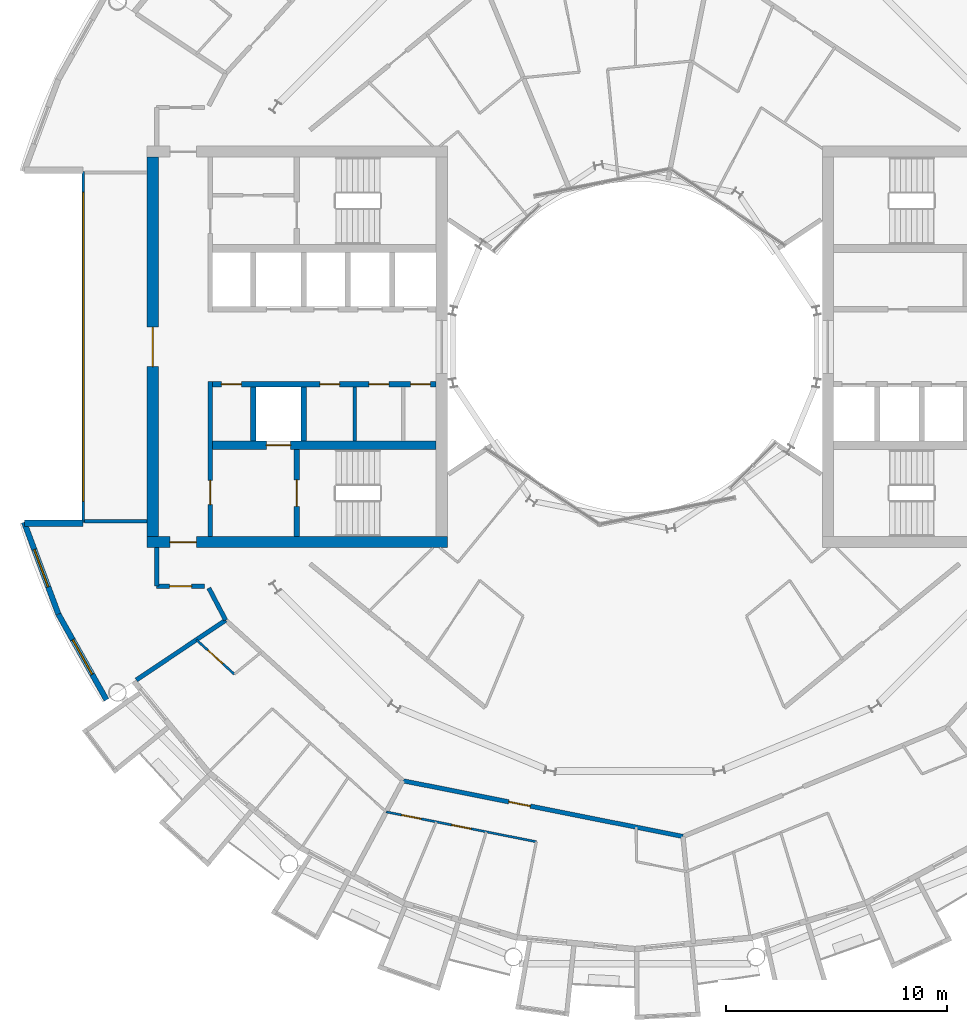
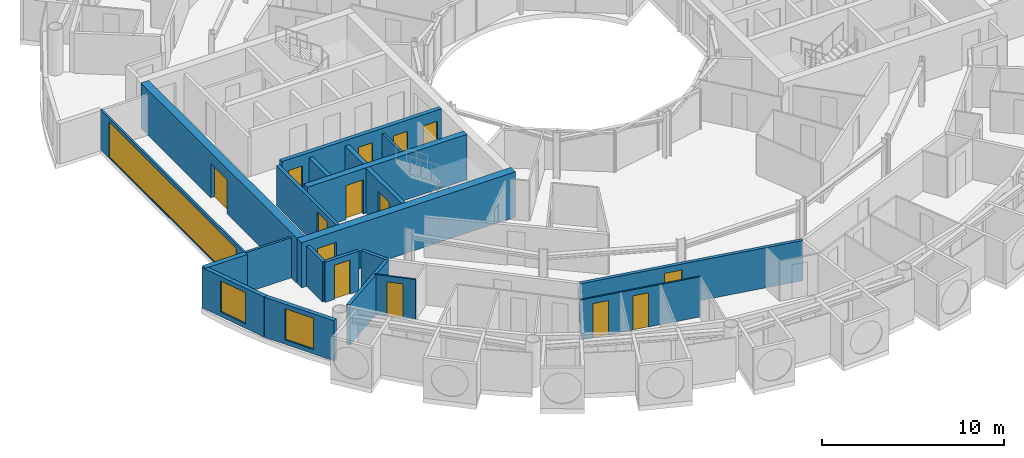
# One storey, part 15 of 27: 21 walls, 14 doors, 3 windows, 17 openings.
"""IFC4 building model written with IfcOpenShell, lengths in metres."""

from ifc_helpers import new_model, si_unit, direction, frame, frame_2d, origin, place, context, subcontext, project, spatial, rectangle, extrude, material, layer, layer_set, type_object, element, fill, save


model = new_model("IFC4")

# Units and contexts
model_context = context("Model", 3, precision=1e-05, world=origin(), true_north=direction((0.0, 1.0)))
body_context = subcontext(model_context, "Body", "Model", "MODEL_VIEW")
ifc_project = project(units=[si_unit("LENGTHUNIT", "METRE"), si_unit("AREAUNIT", "SQUARE_METRE"), si_unit("VOLUMEUNIT", "CUBIC_METRE"), si_unit("PLANEANGLEUNIT", "RADIAN"), si_unit("MASSUNIT", "GRAM", prefix="KILO")], contexts=[model_context])

# Site, building, storey
site_placement = place(None, origin())
site = spatial("IfcSite", under=ifc_project, at=site_placement, CompositionType="ELEMENT")
building_placement = place(site_placement, origin())
building = spatial("IfcBuilding", under=site, at=building_placement, Name="Maasbend Ring Residences", CompositionType="ELEMENT")
storey_placement = place(building_placement, frame((0.0, 0.0, 148.25)))
storey = spatial("IfcBuildingStorey", under=building, at=storey_placement, Name="L42", CompositionType="ELEMENT", Elevation=148.25)

# Wall, openings, doors
ifc_material_1 = material(Name="Concrete C60/75", Category="concrete")
ifc_layer_1 = layer(ifc_material_1, 0.25)
ifc_layer_set_1 = layer_set([ifc_layer_1], Name="Concrete C60/75")
wall_type_1 = type_object("IfcWallType", Name="CORE WALL 250 C60/75", PredefinedType="SHEAR", material=ifc_layer_set_1)
wall_1_placement = place(storey_placement, frame((-9.0, -1.699951171875, 0.0), z_axis=(0.0, 0.0, 1.0), x_axis=(-1.0, 0.0, 0.0)))
wall_1 = element("IfcWall", 1, at=wall_1_placement, inside=storey, type_object=wall_type_1, Name="L42 core W wall SPN", PredefinedType="SHEAR", context=body_context, shape_type="SweptSolid", body=[
    extrude(rectangle(XDim=10.14990234375, YDim=0.25, at=frame_2d((5.074951171875, 0.0))), origin(), (0.0, 0.0, 1.0), 3.050048828125),
])
opening_1_placement = place(wall_1_placement, frame((0.262451171875, 0.0, 0.0)))
opening_1 = element("IfcOpeningElement", 2, at=opening_1_placement, cuts=wall_1, Name="Opening D-W4206", PredefinedType="OPENING", context=body_context, shape_type="SweptSolid", body=[
    extrude(rectangle(XDim=0.89990234375, YDim=2.300048828125, at=frame_2d((0.449951171875, 1.14990234375))), frame((0.0, 0.135009765625, 0.0), z_axis=(0.0, -1.0, 0.0), x_axis=(1.0, 0.0, 0.0)), (0.0, 0.0, 1.0), 0.27001953125),
])
opening_2_placement = place(wall_1_placement, frame((2.14990234375, 0.0, 0.0)))
opening_2 = element("IfcOpeningElement", 3, at=opening_2_placement, cuts=wall_1, Name="Opening D-W4207", PredefinedType="OPENING", context=body_context, shape_type="SweptSolid", body=[
    extrude(rectangle(XDim=0.89990234375, YDim=2.300048828125, at=frame_2d((0.449951171875, 1.14990234375))), frame((0.0, 0.135009765625, 0.0), z_axis=(0.0, -1.0, 0.0), x_axis=(1.0, 0.0, 0.0)), (0.0, 0.0, 1.0), 0.27001953125),
])
opening_3_placement = place(wall_1_placement, frame((4.375, 0.0, 0.0)))
opening_3 = element("IfcOpeningElement", 4, at=opening_3_placement, cuts=wall_1, Name="Opening D-W4208", PredefinedType="OPENING", context=body_context, shape_type="SweptSolid", body=[
    extrude(rectangle(XDim=0.89990234375, YDim=2.300048828125, at=frame_2d((0.449951171875, 1.14990234375))), frame((0.0, 0.135009765625, 0.0), z_axis=(0.0, -1.0, 0.0), x_axis=(1.0, 0.0, 0.0)), (0.0, 0.0, 1.0), 0.27001953125),
])
opening_4_placement = place(wall_1_placement, frame((8.83740234375, 0.0, 0.0)))
opening_4 = element("IfcOpeningElement", 5, at=opening_4_placement, cuts=wall_1, Name="Opening D-W4209", PredefinedType="OPENING", context=body_context, shape_type="SweptSolid", body=[
    extrude(rectangle(XDim=0.89990234375, YDim=2.300048828125, at=frame_2d((0.449951171875, 1.14990234375))), frame((0.0, 0.135009765625, 0.0), z_axis=(0.0, -1.0, 0.0), x_axis=(1.0, 0.0, 0.0)), (0.0, 0.0, 1.0), 0.27001953125),
])
ifc_material_2 = material(Name="Steel, powder coated", Category="steel")
door_type_1 = type_object("IfcDoorType", Name="ROOM DOOR 900 X 2300 FD30S", OperationType="NOTDEFINED", PredefinedType="DOOR", material=ifc_material_2)
door_1_placement = place(opening_1_placement, origin())
door_1 = element("IfcDoor", 6, at=door_1_placement, inside=storey, type_object=door_type_1, Name="Room door L42", OperationType="SINGLE_SWING_RIGHT", OverallHeight=2.300048828125, OverallWidth=0.89990234375, PredefinedType="DOOR", context=body_context, shape_type="SweptSolid", body=[
    extrude(rectangle(XDim=0.89990234375, YDim=2.300048828125, at=frame_2d((0.449951171875, 1.14990234375))), frame((0.0, 0.02490234375, 0.0), z_axis=(0.0, -1.0, 0.0), x_axis=(1.0, 0.0, 0.0)), (0.0, 0.0, 1.0), 0.050048828125),
])
fill(opening_1, door_1)
door_2_placement = place(opening_2_placement, origin())
door_2 = element("IfcDoor", 7, at=door_2_placement, inside=storey, type_object=door_type_1, Name="Room door L42", OperationType="SINGLE_SWING_RIGHT", OverallHeight=2.300048828125, OverallWidth=0.89990234375, PredefinedType="DOOR", context=body_context, shape_type="SweptSolid", body=[
    extrude(rectangle(XDim=0.89990234375, YDim=2.300048828125, at=frame_2d((0.449951171875, 1.14990234375))), frame((0.0, 0.02490234375, 0.0), z_axis=(0.0, -1.0, 0.0), x_axis=(1.0, 0.0, 0.0)), (0.0, 0.0, 1.0), 0.050048828125),
])
fill(opening_2, door_2)
door_3_placement = place(opening_3_placement, origin())
door_3 = element("IfcDoor", 8, at=door_3_placement, inside=storey, type_object=door_type_1, Name="Room door L42", OperationType="SINGLE_SWING_RIGHT", OverallHeight=2.300048828125, OverallWidth=0.89990234375, PredefinedType="DOOR", context=body_context, shape_type="SweptSolid", body=[
    extrude(rectangle(XDim=0.89990234375, YDim=2.300048828125, at=frame_2d((0.449951171875, 1.14990234375))), frame((0.0, 0.02490234375, 0.0), z_axis=(0.0, -1.0, 0.0), x_axis=(1.0, 0.0, 0.0)), (0.0, 0.0, 1.0), 0.050048828125),
])
fill(opening_3, door_3)
door_4_placement = place(opening_4_placement, origin())
door_4 = element("IfcDoor", 9, at=door_4_placement, inside=storey, type_object=door_type_1, Name="Room door L42", OperationType="SINGLE_SWING_LEFT", OverallHeight=2.300048828125, OverallWidth=0.89990234375, PredefinedType="DOOR", context=body_context, shape_type="SweptSolid", body=[
    extrude(rectangle(XDim=0.89990234375, YDim=2.300048828125, at=frame_2d((0.449951171875, 1.14990234375))), frame((0.0, 0.02490234375, 0.0), z_axis=(0.0, -1.0, 0.0), x_axis=(1.0, 0.0, 0.0)), (0.0, 0.0, 1.0), 0.050048828125),
])
fill(opening_4, door_4)

# Wall, opening, door
wall_2_placement = place(storey_placement, frame((-15.324951171875, -4.64990234375, 0.0), z_axis=(0.0, 0.0, 1.0), x_axis=(0.0, -1.0, 0.0)))
wall_2 = element("IfcWall", 10, at=wall_2_placement, inside=storey, type_object=wall_type_1, Name="L42 core W wall STEN", PredefinedType="SHEAR", context=body_context, shape_type="SweptSolid", body=[
    extrude(rectangle(XDim=3.9501953125, YDim=0.25, at=frame_2d((1.97509765625, 0.0))), origin(), (0.0, 0.0, 1.0), 3.050048828125),
])
opening_5_placement = place(wall_2_placement, frame((1.375, 0.0, 0.0)))
opening_5 = element("IfcOpeningElement", 11, at=opening_5_placement, cuts=wall_2, Name="Opening D-W4211", PredefinedType="OPENING", context=body_context, shape_type="SweptSolid", body=[
    extrude(rectangle(XDim=1.199951171875, YDim=2.300048828125, at=frame_2d((0.60009765625, 1.14990234375))), frame((0.0, 0.135009765625, 0.0), z_axis=(0.0, -1.0, 0.0), x_axis=(1.0, 0.0, 0.0)), (0.0, 0.0, 1.0), 0.27001953125),
])
ifc_material_3 = material(Name="Steel, powder coated", Category="steel")
door_type_2 = type_object("IfcDoorType", Name="STAIR DOOR 1200 X 2300 FD60", OperationType="NOTDEFINED", PredefinedType="DOOR", material=ifc_material_3)
door_5_placement = place(opening_5_placement, origin())
door_5 = element("IfcDoor", 12, at=door_5_placement, inside=storey, type_object=door_type_2, Name="Stair door ST-W L42", OperationType="SINGLE_SWING_LEFT", OverallHeight=2.300048828125, OverallWidth=1.199951171875, PredefinedType="DOOR", context=body_context, shape_type="SweptSolid", body=[
    extrude(rectangle(XDim=1.199951171875, YDim=2.300048828125, at=frame_2d((0.60009765625, 1.14990234375))), frame((0.0, 0.02490234375, 0.0), z_axis=(0.0, -1.0, 0.0), x_axis=(1.0, 0.0, 0.0)), (0.0, 0.0, 1.0), 0.050048828125),
])
fill(opening_5, door_5)

ifc_material_4 = material(Name="Concrete C60/75", Category="concrete")
ifc_layer_2 = layer(ifc_material_4, 0.375)
ifc_layer_set_2 = layer_set([ifc_layer_2], Name="Concrete C60/75")
wall_type_2 = type_object("IfcWallType", Name="CORE WALL 375 C60/75", PredefinedType="SHEAR", material=ifc_layer_set_2)
wall_3_placement = place(storey_placement, frame((-9.0, -4.46240234375, 0.0), z_axis=(0.0, 0.0, 1.0), x_axis=(-1.0, 0.0, 0.0)))
wall_3 = element("IfcWall", 13, at=wall_3_placement, inside=storey, type_object=wall_type_2, Name="L42 core W wall BN", PredefinedType="SHEAR", context=body_context, shape_type="SweptSolid", body=[
    extrude(rectangle(XDim=10.14990234375, YDim=0.375, at=frame_2d((5.074951171875, 0.0))), origin(), (0.0, 0.0, 1.0), 3.050048828125),
])
opening_6_placement = place(wall_3_placement, frame((6.60009765625, 0.0, 0.0)))
opening_6 = element("IfcOpeningElement", 14, at=opening_6_placement, cuts=wall_3, Name="Opening LD-W4201", PredefinedType="OPENING", context=body_context, shape_type="SweptSolid", body=[
    extrude(rectangle(XDim=1.10009765625, YDim=2.300048828125, at=frame_2d((0.550048828125, 1.14990234375))), frame((0.0, 0.197509765625, 0.0), z_axis=(0.0, -1.0, 0.0), x_axis=(1.0, 0.0, 0.0)), (0.0, 0.0, 1.0), 0.39501953125),
])
ifc_material_5 = material(Name="Stainless steel 316", Category="steel")
door_type_3 = type_object("IfcDoorType", Name="LANDING DOOR 1100 X 2300 FD60", OperationType="DOUBLE_DOOR_SLIDING", PredefinedType="DOOR", material=ifc_material_5)
door_6_placement = place(opening_6_placement, origin())
door_6 = element("IfcDoor", 15, at=door_6_placement, inside=storey, type_object=door_type_3, Name="Landing door FF-W L42", OperationType="DOUBLE_DOOR_SLIDING", OverallHeight=2.300048828125, OverallWidth=1.10009765625, PredefinedType="DOOR", context=body_context, shape_type="SweptSolid", body=[
    extrude(rectangle(XDim=1.10009765625, YDim=2.300048828125, at=frame_2d((0.550048828125, 1.14990234375))), frame((0.0, 0.02490234375, 0.0), z_axis=(0.0, -1.0, 0.0), x_axis=(1.0, 0.0, 0.0)), (0.0, 0.0, 1.0), 0.050048828125),
])
fill(opening_6, door_6)

ifc_material_6 = material(Name="Concrete C60/75", Category="concrete")
ifc_layer_3 = layer(ifc_material_6, 0.5)
ifc_layer_set_3 = layer_set([ifc_layer_3], Name="Concrete C60/75")
wall_type_3 = type_object("IfcWallType", Name="CORE WALL 500 C60/75", PredefinedType="SHEAR", material=ifc_layer_set_3)
wall_4_placement = place(storey_placement, frame((-22.10009765625, -8.85009765625, 0.0), z_axis=(0.0, 0.0, 1.0), x_axis=(1.0, 0.0, 0.0)))
wall_4 = element("IfcWall", 16, at=wall_4_placement, inside=storey, type_object=wall_type_3, Name="L42 core W wall PN", PredefinedType="SHEAR", context=body_context, shape_type="SweptSolid", body=[
    extrude(rectangle(XDim=13.60009765625, YDim=0.5, at=frame_2d((6.800048828125, 0.0))), origin(), (0.0, 0.0, 1.0), 3.050048828125),
])
opening_7_placement = place(wall_4_placement, frame((1.02490234375, 0.0, 0.0)))
opening_7 = element("IfcOpeningElement", 17, at=opening_7_placement, cuts=wall_4, Name="Opening D-W4215", PredefinedType="OPENING", context=body_context, shape_type="SweptSolid", body=[
    extrude(rectangle(XDim=1.199951171875, YDim=2.300048828125, at=frame_2d((0.60009765625, 1.14990234375))), frame((0.0, 0.260009765625, 0.0), z_axis=(0.0, -1.0, 0.0), x_axis=(1.0, 0.0, 0.0)), (0.0, 0.0, 1.0), 0.52001953125),
])
ifc_material_7 = material(Name="Steel, powder coated", Category="steel")
door_type_4 = type_object("IfcDoorType", Name="CORRIDOR DOOR 1200 X 2300 FD30S", OperationType="NOTDEFINED", PredefinedType="DOOR", material=ifc_material_7)
door_7_placement = place(opening_7_placement, origin())
door_7 = element("IfcDoor", 18, at=door_7_placement, inside=storey, type_object=door_type_4, Name="Corridor door L42", OperationType="SINGLE_SWING_RIGHT", OverallHeight=2.300048828125, OverallWidth=1.199951171875, PredefinedType="DOOR", context=body_context, shape_type="SweptSolid", body=[
    extrude(rectangle(XDim=1.199951171875, YDim=2.300048828125, at=frame_2d((0.60009765625, 1.14990234375))), frame((0.0, 0.02490234375, 0.0), z_axis=(0.0, -1.0, 0.0), x_axis=(1.0, 0.0, 0.0)), (0.0, 0.0, 1.0), 0.050048828125),
])
fill(opening_7, door_7)

wall_5_placement = place(storey_placement, frame((-21.85009765625, -8.60009765625, 0.0), z_axis=(0.0, 0.0, 1.0), x_axis=(0.0, 1.0, 0.0)))
wall_5 = element("IfcWall", 19, at=wall_5_placement, inside=storey, type_object=wall_type_3, Name="L42 core W wall POUT", PredefinedType="SHEAR", context=body_context, shape_type="SweptSolid", body=[
    extrude(rectangle(XDim=17.2001953125, YDim=0.5, at=frame_2d((8.60009765625, 0.0))), origin(), (0.0, 0.0, 1.0), 3.050048828125),
])
opening_8_placement = place(wall_5_placement, frame((7.699951171875, 0.0, 0.0)))
opening_8 = element("IfcOpeningElement", 20, at=opening_8_placement, cuts=wall_5, Name="Opening D-W4217", PredefinedType="OPENING", context=body_context, shape_type="SweptSolid", body=[
    extrude(rectangle(XDim=1.800048828125, YDim=2.300048828125, at=frame_2d((0.89990234375, 1.14990234375))), frame((0.0, 0.260009765625, 0.0), z_axis=(0.0, -1.0, 0.0), x_axis=(1.0, 0.0, 0.0)), (0.0, 0.0, 1.0), 0.52001953125),
])
ifc_material_8 = material(Name="Aluminium frame, clear glass", Category="aluminium")
door_type_5 = type_object("IfcDoorType", Name="ENTRANCE DOOR 1800 X 2300 FD60", OperationType="NOTDEFINED", PredefinedType="DOOR", material=ifc_material_8)
door_8_placement = place(opening_8_placement, origin())
door_8 = element("IfcDoor", 21, at=door_8_placement, inside=storey, type_object=door_type_5, Name="Lobby glazed door L42", OperationType="SINGLE_SWING_LEFT", OverallHeight=2.300048828125, OverallWidth=1.800048828125, PredefinedType="DOOR", context=body_context, shape_type="SweptSolid", body=[
    extrude(rectangle(XDim=1.800048828125, YDim=2.300048828125, at=frame_2d((0.89990234375, 1.14990234375))), frame((0.0, 0.02490234375, 0.0), z_axis=(0.0, -1.0, 0.0), x_axis=(1.0, 0.0, 0.0)), (0.0, 0.0, 1.0), 0.050048828125),
])
fill(opening_8, door_8)

# Wall
ifc_material_9 = material(Name="Concrete C30/37", Category="concrete")
ifc_layer_4 = layer(ifc_material_9, 0.199951171875)
ifc_layer_set_4 = layer_set([ifc_layer_4], Name="Concrete C30/37")
wall_type_4 = type_object("IfcWallType", Name="CORRIDOR WALL 200 CONCRETE", PredefinedType="PARTITIONING", material=ifc_layer_set_4)
wall_6_placement = place(storey_placement, frame((-19.306884765625, -10.93505859375, 0.0), z_axis=(0.0, 0.0, 1.0), x_axis=(0.465605550524, -0.884992356646, 0.0)))
element("IfcWall", 22, at=wall_6_placement, inside=storey, type_object=wall_type_4, Name="U-L42-w009", PredefinedType="PARTITIONING", context=body_context, shape_type="SweptSolid", body=[
    extrude(rectangle(XDim=1.642822265625, YDim=0.199951171875, at=frame_2d((0.8212890625, 0.0))), origin(), (0.0, 0.0, 1.0), 2.699951171875),
])

# Wall, opening, door
wall_7_placement = place(storey_placement, frame((-10.511962890625, -19.6669921875, 0.0), z_axis=(0.0, 0.0, 1.0), x_axis=(0.980780341017, -0.195115152343, 0.0)))
wall_7 = element("IfcWall", 23, at=wall_7_placement, inside=storey, type_object=wall_type_4, Name="U-L42-w015", PredefinedType="PARTITIONING", context=body_context, shape_type="SweptSolid", body=[
    extrude(rectangle(XDim=12.94677734375, YDim=0.199951171875, at=frame_2d((6.473388671875, 0.0))), origin(), (0.0, 0.0, 1.0), 2.699951171875),
])
opening_9_placement = place(wall_7_placement, frame((4.89404296875, 0.0, 0.0)))
opening_9 = element("IfcOpeningElement", 24, at=opening_9_placement, cuts=wall_7, Name="Opening D-4238", PredefinedType="OPENING", context=body_context, shape_type="SweptSolid", body=[
    extrude(rectangle(XDim=1.0, YDim=2.300048828125, at=frame_2d((0.5, 1.14990234375))), frame((0.0, 0.10986328125, 0.0), z_axis=(0.0, -1.0, 0.0), x_axis=(1.0, 0.0, 0.0)), (0.0, 0.0, 1.0), 0.219970703125),
])
ifc_material_10 = material(Name="Timber, fire-rated, painted", Category="wood")
door_type_6 = type_object("IfcDoorType", Name="FLAT ENTRANCE DOOR 1000 X 2300 FIRE-RATED", OperationType="NOTDEFINED", PredefinedType="DOOR", material=ifc_material_10)
door_9_placement = place(opening_9_placement, origin())
door_9 = element("IfcDoor", 25, at=door_9_placement, inside=storey, type_object=door_type_6, Name="D-4238", OperationType="SINGLE_SWING_LEFT", OverallHeight=2.300048828125, OverallWidth=1.0, PredefinedType="DOOR", context=body_context, shape_type="SweptSolid", body=[
    extrude(rectangle(XDim=1.0, YDim=2.300048828125, at=frame_2d((0.5, 1.14990234375))), frame((0.0, 0.02490234375, 0.0), z_axis=(0.0, -1.0, 0.0), x_axis=(1.0, 0.0, 0.0)), (0.0, 0.0, 1.0), 0.050048828125),
])
fill(opening_9, door_9)

wall_8_placement = place(storey_placement, frame((-21.675048828125, -10.85009765625, 0.0), z_axis=(0.0, 0.0, 1.0), x_axis=(1.0, 0.0, 0.0)))
wall_8 = element("IfcWall", 26, at=wall_8_placement, inside=storey, type_object=wall_type_4, Name="U-L42-w023", PredefinedType="PARTITIONING", context=body_context, shape_type="SweptSolid", body=[
    extrude(rectangle(XDim=2.171142578125, YDim=0.199951171875, at=frame_2d((1.08544921875, 0.0))), origin(), (0.0, 0.0, 1.0), 2.699951171875),
])
opening_10_placement = place(wall_8_placement, frame((0.5849609375, 0.0, 0.0)))
opening_10 = element("IfcOpeningElement", 27, at=opening_10_placement, cuts=wall_8, Name="Opening D-4259", PredefinedType="OPENING", context=body_context, shape_type="SweptSolid", body=[
    extrude(rectangle(XDim=1.0, YDim=2.300048828125, at=frame_2d((0.5, 1.14990234375))), frame((0.0, 0.10986328125, 0.0), z_axis=(0.0, -1.0, 0.0), x_axis=(1.0, 0.0, 0.0)), (0.0, 0.0, 1.0), 0.219970703125),
])
ifc_material_11 = material(Name="Timber, painted", Category="wood")
door_type_7 = type_object("IfcDoorType", Name="ROOM DOOR 1000 X 2300", OperationType="NOTDEFINED", PredefinedType="DOOR", material=ifc_material_11)
door_10_placement = place(opening_10_placement, origin())
door_10 = element("IfcDoor", 28, at=door_10_placement, inside=storey, type_object=door_type_7, Name="D-4259", OperationType="SINGLE_SWING_LEFT", OverallHeight=2.300048828125, OverallWidth=1.0, PredefinedType="DOOR", context=body_context, shape_type="SweptSolid", body=[
    extrude(rectangle(XDim=1.0, YDim=2.300048828125, at=frame_2d((0.5, 1.14990234375))), frame((0.0, 0.02490234375, 0.0), z_axis=(0.0, -1.0, 0.0), x_axis=(1.0, 0.0, 0.0)), (0.0, 0.0, 1.0), 0.050048828125),
])
fill(opening_10, door_10)

# Wall
wall_9_placement = place(storey_placement, frame((-21.675048828125, -10.85009765625, 0.0), z_axis=(0.0, 0.0, 1.0), x_axis=(0.0, 1.0, 0.0)))
element("IfcWall", 29, at=wall_9_placement, inside=storey, type_object=wall_type_4, Name="U-L42-w098", PredefinedType="PARTITIONING", context=body_context, shape_type="SweptSolid", body=[
    extrude(rectangle(XDim=1.75, YDim=0.199951171875, at=frame_2d((0.875, 0.0))), origin(), (0.0, 0.0, 1.0), 2.699951171875),
])

# Wall, opening, window
ifc_material_12 = material(Name="Aluminium clad insulated panel", Category="aluminium")
ifc_layer_5 = layer(ifc_material_12, 0.25)
ifc_layer_set_5 = layer_set([ifc_layer_5], Name="EW-HORN")
wall_type_5 = type_object("IfcWallType", Name="EW-HORN", PredefinedType="SOLIDWALL", material=ifc_layer_set_5)
wall_10_placement = place(storey_placement, frame((-27.681884765625, -7.945068359375, 0.0), z_axis=(0.0, 0.0, 1.0), x_axis=(0.349247811493, -0.937030397675, 0.0)))
wall_10 = element("IfcWall", 30, at=wall_10_placement, inside=storey, type_object=wall_type_5, Name="Horn wall 3.1", PredefinedType="SOLIDWALL", context=body_context, shape_type="SweptSolid", body=[
    extrude(rectangle(XDim=4.4521484375, YDim=0.25, at=frame_2d((2.22607421875, 0.0))), origin(), (0.0, 0.0, 1.0), 2.699951171875),
])
opening_11_placement = place(wall_10_placement, frame((1.32666015625, 0.0, 0.300048828125)))
opening_11 = element("IfcOpeningElement", 31, at=opening_11_placement, cuts=wall_10, Name="Opening W-BX", PredefinedType="OPENING", context=body_context, shape_type="SweptSolid", body=[
    extrude(rectangle(XDim=1.800048828125, YDim=2.10009765625, at=frame_2d((0.89990234375, 1.050048828125))), frame((0.0, 0.135009765625, 0.0), z_axis=(0.0, -1.0, 0.0), x_axis=(1.0, 0.0, 0.0)), (0.0, 0.0, 1.0), 0.27001953125),
])
ifc_material_13 = material(Name="Aluminium and clear glass", Category="aluminium")
window_type_1 = type_object("IfcWindowType", Name="W-BX", PartitioningType="DOUBLE_PANEL_VERTICAL", PredefinedType="WINDOW", material=ifc_material_13)
window_1_placement = place(opening_11_placement, origin())
window_1 = element("IfcWindow", 32, at=window_1_placement, inside=storey, type_object=window_type_1, Name="Horn window 3.1", OverallHeight=2.10009765625, OverallWidth=1.800048828125, PartitioningType="SINGLE_PANEL", PredefinedType="WINDOW", context=body_context, shape_type="SweptSolid", body=[
    extrude(rectangle(XDim=1.800048828125, YDim=2.10009765625, at=frame_2d((0.89990234375, 1.050048828125))), frame((0.0, 0.030029296875, 0.0), z_axis=(0.0, -1.0, 0.0), x_axis=(1.0, 0.0, 0.0)), (0.0, 0.0, 1.0), 0.06005859375),
])
fill(opening_11, window_1)

wall_11_placement = place(storey_placement, frame((-26.126953125, -12.116943359375, 0.0), z_axis=(0.0, 0.0, 1.0), x_axis=(0.489696356642, -0.871893042919, 0.0)))
wall_11 = element("IfcWall", 33, at=wall_11_placement, inside=storey, type_object=wall_type_5, Name="Horn wall 3.2", PredefinedType="SOLIDWALL", context=body_context, shape_type="SweptSolid", body=[
    extrude(rectangle(XDim=4.45361328125, YDim=0.25, at=frame_2d((2.226806640625, 0.0))), origin(), (0.0, 0.0, 1.0), 2.699951171875),
])
opening_12_placement = place(wall_11_placement, frame((1.32666015625, 0.0, 0.300048828125)))
opening_12 = element("IfcOpeningElement", 34, at=opening_12_placement, cuts=wall_11, Name="Opening W-BX", PredefinedType="OPENING", context=body_context, shape_type="SweptSolid", body=[
    extrude(rectangle(XDim=1.800048828125, YDim=2.10009765625, at=frame_2d((0.89990234375, 1.050048828125))), frame((0.0, 0.135009765625, 0.0), z_axis=(0.0, -1.0, 0.0), x_axis=(1.0, 0.0, 0.0)), (0.0, 0.0, 1.0), 0.27001953125),
])
window_2_placement = place(opening_12_placement, origin())
window_2 = element("IfcWindow", 35, at=window_2_placement, inside=storey, type_object=window_type_1, Name="Horn window 3.2", OverallHeight=2.10009765625, OverallWidth=1.800048828125, PartitioningType="SINGLE_PANEL", PredefinedType="WINDOW", context=body_context, shape_type="SweptSolid", body=[
    extrude(rectangle(XDim=1.800048828125, YDim=2.10009765625, at=frame_2d((0.89990234375, 1.050048828125))), frame((0.0, 0.030029296875, 0.0), z_axis=(0.0, -1.0, 0.0), x_axis=(1.0, 0.0, 0.0)), (0.0, 0.0, 1.0), 0.06005859375),
])
fill(opening_12, window_2)

# Wall
ifc_material_14 = material(Name="Aluminium clad insulated panel", Category="aluminium")
ifc_layer_6 = layer(ifc_material_14, 0.300048828125)
ifc_layer_set_6 = layer_set([ifc_layer_6], Name="EW-RET")
wall_type_6 = type_object("IfcWallType", Name="EW-RET", PredefinedType="SOLIDWALL", material=ifc_layer_set_6)
wall_12_placement = place(storey_placement, frame((-25.0, -8.0, 0.0), z_axis=(0.0, 0.0, 1.0), x_axis=(-1.0, 0.0, 0.0)))
element("IfcWall", 36, at=wall_12_placement, inside=storey, type_object=wall_type_6, Name="Notch return wall west south", PredefinedType="SOLIDWALL", context=body_context, shape_type="SweptSolid", body=[
    extrude(rectangle(XDim=2.6669921875, YDim=0.300048828125, at=frame_2d((1.33349609375, 0.0))), origin(), (0.0, 0.0, 1.0), 2.699951171875),
])

# Wall, opening, window
ifc_material_15 = material(Name="Aluminium frame and clear glass", Category="aluminium")
ifc_layer_7 = layer(ifc_material_15, 0.1201171875)
ifc_layer_set_7 = layer_set([ifc_layer_7], Name="GLAZED SCREEN WALL 120 EI 60")
wall_type_7 = type_object("IfcWallType", Name="GLAZED SCREEN WALL 120 EI 60", PredefinedType="PARTITIONING", material=ifc_layer_set_7)
wall_13_placement = place(storey_placement, frame((-25.0, 7.949951171875, 0.0), z_axis=(0.0, 0.0, 1.0), x_axis=(0.0, -1.0, 0.0)))
wall_13 = element("IfcWall", 37, at=wall_13_placement, inside=storey, type_object=wall_type_7, Name="L42 core W wall FACE", PredefinedType="PARTITIONING", context=body_context, shape_type="SweptSolid", body=[
    extrude(rectangle(XDim=15.89990234375, YDim=0.1201171875, at=frame_2d((7.949951171875, 0.0))), origin(), (0.0, 0.0, 1.0), 2.699951171875),
])
opening_13_placement = place(wall_13_placement, frame((0.949951171875, 0.0, 0.10009765625)))
opening_13 = element("IfcOpeningElement", 38, at=opening_13_placement, cuts=wall_13, Name="Opening W-W4202", PredefinedType="OPENING", context=body_context, shape_type="SweptSolid", body=[
    extrude(rectangle(XDim=14.0, YDim=2.35009765625, at=frame_2d((7.0, 1.175048828125))), frame((0.0, 0.070068359375, 0.0), z_axis=(0.0, -1.0, 0.0), x_axis=(1.0, 0.0, 0.0)), (0.0, 0.0, 1.0), 0.14013671875),
])
ifc_material_16 = material(Name="Aluminium frame and clear glass", Category="aluminium")
window_type_2 = type_object("IfcWindowType", Name="FIXED WINDOW 14000 X 2350", PartitioningType="SINGLE_PANEL", PredefinedType="WINDOW", material=ifc_material_16)
window_3_placement = place(opening_13_placement, origin())
window_3 = element("IfcWindow", 39, at=window_3_placement, inside=storey, type_object=window_type_2, Name="Lobby window L42", OverallHeight=2.35009765625, OverallWidth=14.0, PartitioningType="SINGLE_PANEL", PredefinedType="WINDOW", context=body_context, shape_type="SweptSolid", body=[
    extrude(rectangle(XDim=14.0, YDim=2.35009765625, at=frame_2d((7.0, 1.175048828125))), frame((0.0, 0.030029296875, 0.0), z_axis=(0.0, -1.0, 0.0), x_axis=(1.0, 0.0, 0.0)), (0.0, 0.0, 1.0), 0.06005859375),
])
fill(opening_13, window_3)

# Wall, opening, door
ifc_material_17 = material(Name="Gypsum board on steel studs", Category="steel")
ifc_layer_8 = layer(ifc_material_17, 0.10009765625)
ifc_layer_set_8 = layer_set([ifc_layer_8], Name="PARTITION 100 GYPSUM")
wall_type_8 = type_object("IfcWallType", Name="PARTITION 100 GYPSUM", PredefinedType="PARTITIONING", material=ifc_layer_set_8)
wall_14_placement = place(storey_placement, frame((-19.8720703125, -13.278076171875, 0.0), z_axis=(0.0, 0.0, 1.0), x_axis=(0.740990220108, -0.671515817911, 0.0)))
wall_14 = element("IfcWall", 40, at=wall_14_placement, inside=storey, type_object=wall_type_8, Name="U-L42-w003", PredefinedType="PARTITIONING", context=body_context, shape_type="SweptSolid", body=[
    extrude(rectangle(XDim=2.32275390625, YDim=0.10009765625, at=frame_2d((1.161376953125, 0.0))), origin(), (0.0, 0.0, 1.0), 2.699951171875),
])
opening_14_placement = place(wall_14_placement, frame((0.7109375, 0.0, 0.0)))
opening_14 = element("IfcOpeningElement", 41, at=opening_14_placement, cuts=wall_14, Name="Opening D-4234", PredefinedType="OPENING", context=body_context, shape_type="SweptSolid", body=[
    extrude(rectangle(XDim=0.89990234375, YDim=2.300048828125, at=frame_2d((0.449951171875, 1.14990234375))), frame((0.0, 0.06005859375, 0.0), z_axis=(0.0, -1.0, 0.0), x_axis=(1.0, 0.0, 0.0)), (0.0, 0.0, 1.0), 0.1201171875),
])
ifc_material_18 = material(Name="Timber, painted", Category="wood")
door_type_8 = type_object("IfcDoorType", Name="INTERNAL DOOR 900 X 2300", OperationType="NOTDEFINED", PredefinedType="DOOR", material=ifc_material_18)
door_11_placement = place(opening_14_placement, origin())
door_11 = element("IfcDoor", 42, at=door_11_placement, inside=storey, type_object=door_type_8, Name="D-4234", OperationType="SINGLE_SWING_RIGHT", OverallHeight=2.300048828125, OverallWidth=0.89990234375, PredefinedType="DOOR", context=body_context, shape_type="SweptSolid", body=[
    extrude(rectangle(XDim=0.89990234375, YDim=2.300048828125, at=frame_2d((0.449951171875, 1.14990234375))), frame((0.0, 0.02490234375, 0.0), z_axis=(0.0, -1.0, 0.0), x_axis=(1.0, 0.0, 0.0)), (0.0, 0.0, 1.0), 0.050048828125),
])
fill(opening_14, door_11)

# Wall, openings, doors
wall_15_placement = place(storey_placement, frame((-11.263916015625, -21.080078125, 0.0), z_axis=(0.0, 0.0, 1.0), x_axis=(0.980795304313, -0.195039921651, 0.0)))
wall_15 = element("IfcWall", 43, at=wall_15_placement, inside=storey, type_object=wall_type_8, Name="U-L42-w005", PredefinedType="PARTITIONING", context=body_context, shape_type="SweptSolid", body=[
    extrude(rectangle(XDim=6.937255859375, YDim=0.10009765625, at=frame_2d((3.46875, 0.0))), origin(), (0.0, 0.0, 1.0), 2.699951171875),
])
opening_15_placement = place(wall_15_placement, frame((3.01611328125, 0.0, 0.0)))
opening_15 = element("IfcOpeningElement", 44, at=opening_15_placement, cuts=wall_15, Name="Opening D-4241", PredefinedType="OPENING", context=body_context, shape_type="SweptSolid", body=[
    extrude(rectangle(XDim=0.89990234375, YDim=2.300048828125, at=frame_2d((0.449951171875, 1.14990234375))), frame((0.0, 0.06005859375, 0.0), z_axis=(0.0, -1.0, 0.0), x_axis=(1.0, 0.0, 0.0)), (0.0, 0.0, 1.0), 0.1201171875),
])
opening_16_placement = place(wall_15_placement, frame((0.7041015625, 0.0, 0.0)))
opening_16 = element("IfcOpeningElement", 45, at=opening_16_placement, cuts=wall_15, Name="Opening D-4242", PredefinedType="OPENING", context=body_context, shape_type="SweptSolid", body=[
    extrude(rectangle(XDim=0.89990234375, YDim=2.300048828125, at=frame_2d((0.449951171875, 1.14990234375))), frame((0.0, 0.06005859375, 0.0), z_axis=(0.0, -1.0, 0.0), x_axis=(1.0, 0.0, 0.0)), (0.0, 0.0, 1.0), 0.1201171875),
])
door_12_placement = place(opening_15_placement, origin())
door_12 = element("IfcDoor", 46, at=door_12_placement, inside=storey, type_object=door_type_8, Name="D-4241", OperationType="SINGLE_SWING_LEFT", OverallHeight=2.300048828125, OverallWidth=0.89990234375, PredefinedType="DOOR", context=body_context, shape_type="SweptSolid", body=[
    extrude(rectangle(XDim=0.89990234375, YDim=2.300048828125, at=frame_2d((0.449951171875, 1.14990234375))), frame((0.0, 0.02490234375, 0.0), z_axis=(0.0, -1.0, 0.0), x_axis=(1.0, 0.0, 0.0)), (0.0, 0.0, 1.0), 0.050048828125),
])
fill(opening_15, door_12)
door_13_placement = place(opening_16_placement, origin())
door_13 = element("IfcDoor", 47, at=door_13_placement, inside=storey, type_object=door_type_8, Name="D-4242", OperationType="SINGLE_SWING_LEFT", OverallHeight=2.300048828125, OverallWidth=0.89990234375, PredefinedType="DOOR", context=body_context, shape_type="SweptSolid", body=[
    extrude(rectangle(XDim=0.89990234375, YDim=2.300048828125, at=frame_2d((0.449951171875, 1.14990234375))), frame((0.0, 0.02490234375, 0.0), z_axis=(0.0, -1.0, 0.0), x_axis=(1.0, 0.0, 0.0)), (0.0, 0.0, 1.0), 0.050048828125),
])
fill(opening_16, door_13)

# Walls
ifc_material_19 = material(Name="Gypsum board on steel studs", Category="steel")
ifc_layer_9 = layer(ifc_material_19, 0.14990234375)
ifc_layer_set_9 = layer_set([ifc_layer_9], Name="PARTITION 150 EI 60")
wall_type_9 = type_object("IfcWallType", Name="PARTITION 150 EI 60", PredefinedType="PARTITIONING", material=ifc_layer_set_9)
wall_16_placement = place(storey_placement, frame((-12.699951171875, -1.824951171875, 0.0), z_axis=(0.0, 0.0, 1.0), x_axis=(0.0, -1.0, 0.0)))
element("IfcWall", 48, at=wall_16_placement, inside=storey, type_object=wall_type_9, Name="L42 core W wall PRN1270", PredefinedType="PARTITIONING", context=body_context, shape_type="SweptSolid", body=[
    extrude(rectangle(XDim=2.449951171875, YDim=0.14990234375, at=frame_2d((1.22509765625, 0.0))), origin(), (0.0, 0.0, 1.0), 2.699951171875),
])
wall_17_placement = place(storey_placement, frame((-22.10009765625, -7.89990234375, 0.0), z_axis=(0.0, 0.0, 1.0), x_axis=(-1.0, 0.0, 0.0)))
element("IfcWall", 49, at=wall_17_placement, inside=storey, type_object=wall_type_9, Name="L42 core W wall CITN", PredefinedType="PARTITIONING", context=body_context, shape_type="SweptSolid", body=[
    extrude(rectangle(XDim=2.83984375, YDim=0.14990234375, at=frame_2d((1.419921875, 0.0))), origin(), (0.0, 0.0, 1.0), 2.699951171875),
])
ifc_material_20 = material(Name="Concrete C30/37", Category="concrete")
ifc_layer_10 = layer(ifc_material_20, 0.199951171875)
ifc_layer_set_10 = layer_set([ifc_layer_10], Name="Concrete C30/37")
wall_type_10 = type_object("IfcWallType", Name="PARTY WALL 200 CONCRETE", PredefinedType="PARTITIONING", material=ifc_layer_set_10)
wall_18_placement = place(storey_placement, frame((-22.594970703125, -15.097900390625, 0.0), z_axis=(0.0, 0.0, 1.0), x_axis=(0.831387096605, 0.55569370664, 0.0)))
element("IfcWall", 50, at=wall_18_placement, inside=storey, type_object=wall_type_10, Name="U-L42-w031", PredefinedType="PARTITIONING", context=body_context, shape_type="SweptSolid", body=[
    extrude(rectangle(XDim=4.875, YDim=0.199951171875, at=frame_2d((2.4375, 0.0))), origin(), (0.0, 0.0, 1.0), 2.699951171875),
])

# Wall, opening, door
ifc_material_21 = material(Name="Concrete C30/37", Category="concrete")
ifc_layer_11 = layer(ifc_material_21, 0.199951171875)
ifc_layer_set_11 = layer_set([ifc_layer_11], Name="Concrete C30/37")
wall_type_11 = type_object("IfcWallType", Name="SHAFT WALL 200 EI 120", PredefinedType="SOLIDWALL", material=ifc_layer_set_11)
wall_19_placement = place(storey_placement, frame((-19.25, -1.574951171875, 0.0), z_axis=(0.0, 0.0, 1.0), x_axis=(0.0, -1.0, 0.0)))
wall_19 = element("IfcWall", 51, at=wall_19_placement, inside=storey, type_object=wall_type_11, Name="L42 core W wall ENDN", PredefinedType="SOLIDWALL", context=body_context, shape_type="SweptSolid", body=[
    extrude(rectangle(XDim=7.025146484375, YDim=0.199951171875, at=frame_2d((3.5126953125, 0.0))), origin(), (0.0, 0.0, 1.0), 2.699951171875),
])
opening_17_placement = place(wall_19_placement, frame((4.47509765625, 0.0, 0.0)))
opening_17 = element("IfcOpeningElement", 52, at=opening_17_placement, cuts=wall_19, Name="Opening D-W4213", PredefinedType="OPENING", context=body_context, shape_type="SweptSolid", body=[
    extrude(rectangle(XDim=1.10009765625, YDim=2.300048828125, at=frame_2d((0.550048828125, 1.14990234375))), frame((0.0, 0.10986328125, 0.0), z_axis=(0.0, -1.0, 0.0), x_axis=(1.0, 0.0, 0.0)), (0.0, 0.0, 1.0), 0.219970703125),
])
ifc_material_22 = material(Name="Steel, powder coated", Category="steel")
door_type_9 = type_object("IfcDoorType", Name="LOBBY DOOR 1100 X 2300 FD60", OperationType="NOTDEFINED", PredefinedType="DOOR", material=ifc_material_22)
door_14_placement = place(opening_17_placement, origin())
door_14 = element("IfcDoor", 53, at=door_14_placement, inside=storey, type_object=door_type_9, Name="Lobby door L42", OperationType="SINGLE_SWING_LEFT", OverallHeight=2.300048828125, OverallWidth=1.10009765625, PredefinedType="DOOR", context=body_context, shape_type="SweptSolid", body=[
    extrude(rectangle(XDim=1.10009765625, YDim=2.300048828125, at=frame_2d((0.550048828125, 1.14990234375))), frame((0.0, 0.02490234375, 0.0), z_axis=(0.0, -1.0, 0.0), x_axis=(1.0, 0.0, 0.0)), (0.0, 0.0, 1.0), 0.050048828125),
])
fill(opening_17, door_14)

# Walls
ifc_material_23 = material(Name="Concrete C30/37", Category="concrete")
ifc_layer_12 = layer(ifc_material_23, 0.25)
ifc_layer_set_12 = layer_set([ifc_layer_12], Name="Concrete C30/37")
wall_type_12 = type_object("IfcWallType", Name="SHAFT WALL 250 EI 120", PredefinedType="SOLIDWALL", material=ifc_layer_set_12)
for number, where, z_axis, x_axis, name in (
    (54, (-15.0, -1.824951171875, 0.0), (0.0, 0.0, 1.0), (0.0, -1.0, 0.0), "L42 core W wall D150N"),
    (55, (-17.300048828125, -1.824951171875, 0.0), (0.0, 0.0, 1.0), (0.0, -1.0, 0.0), "L42 core W wall D173N"),
):
    element("IfcWall", number, at=place(storey_placement, frame(where, z_axis=z_axis, x_axis=x_axis)), inside=storey, type_object=wall_type_12, Name=name, PredefinedType="SOLIDWALL", context=body_context, shape_type="SweptSolid", body=[
        extrude(rectangle(XDim=2.449951171875, YDim=0.25, at=frame_2d((1.22509765625, 0.0))), origin(), (0.0, 0.0, 1.0), 2.699951171875),
    ])

save(model, "model.ifc")
